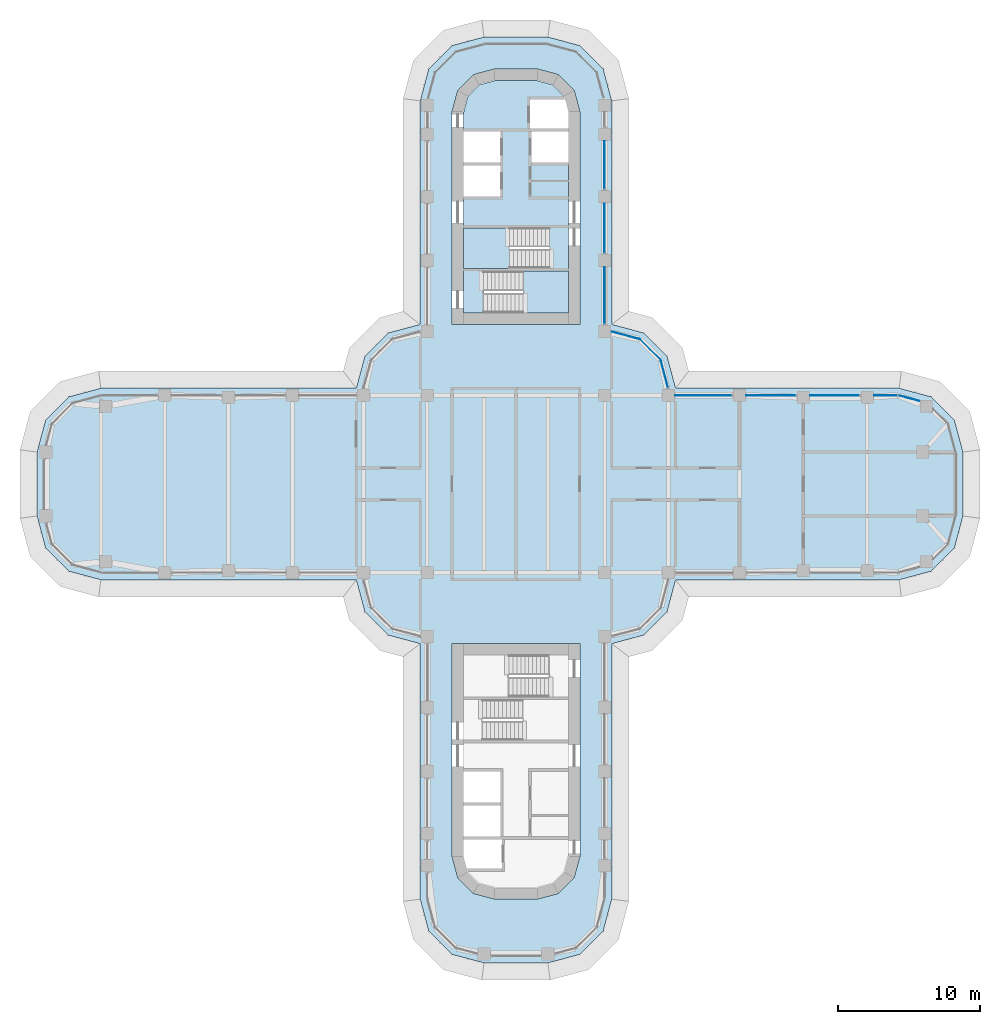
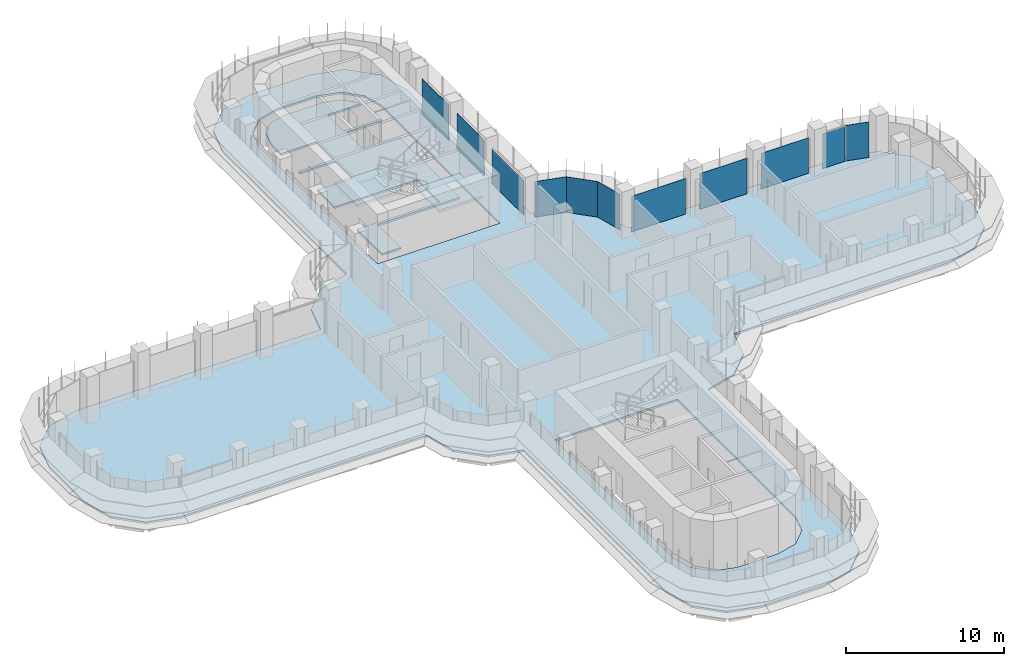
# One storey, part 14 of 21: 11 plates, 4 slabs, 8 elements without a shape of their own.
"""IFC4 building model written with IfcOpenShell, lengths in metres."""

from ifc_helpers import new_model, si_unit, direction, frame, origin, place, context, subcontext, project, spatial, polyline, outline, extrude, source, transform, mapped, material, layer, layer_set, type_object, element, aggregate, save


model = new_model("IFC4")

# Units and contexts
model_context = context("Model", 3, precision=1e-05, world=origin(), true_north=direction((0.0, 1.0)))
body_context = subcontext(model_context, "Body", "Model", "MODEL_VIEW")
ifc_project = project(units=[si_unit("LENGTHUNIT", "METRE"), si_unit("AREAUNIT", "SQUARE_METRE"), si_unit("VOLUMEUNIT", "CUBIC_METRE"), si_unit("PLANEANGLEUNIT", "RADIAN"), si_unit("MASSUNIT", "GRAM", prefix="KILO")], contexts=[model_context])

# Site, building, storey
site_placement = place(None, origin())
site = spatial("IfcSite", under=ifc_project, at=site_placement, CompositionType="ELEMENT")
building_placement = place(site_placement, origin())
building = spatial("IfcBuilding", under=site, at=building_placement, Name="Zarbagh Exchange Tower", CompositionType="ELEMENT")
storey_placement = place(building_placement, frame((0.0, 0.0, 128.39990234375)))
storey = spatial("IfcBuildingStorey", under=building, at=storey_placement, Name="L30", CompositionType="ELEMENT", Elevation=128.39990234375)

# Slabs
ifc_material_1 = material(Name="Concrete C40/50", Category="concrete")
ifc_layer_1 = layer(ifc_material_1, 0.14990234375)
ifc_layer_set_1 = layer_set([ifc_layer_1], Name="Composite floor slab 150 C40/50")
slab_type_1 = type_object("IfcSlabType", Name="Composite floor slab 150 C40/50", PredefinedType="FLOOR", material=ifc_layer_set_1)
slab_1_placement = place(storey_placement, frame((0.0, 0.0, -0.14990234375)))
element("IfcSlab", 1, at=slab_1_placement, inside=storey, type_object=slab_type_1, Name="S5 composite floor slab", PredefinedType="FLOOR", context=body_context, shape_type="SweptSolid", body=[
    extrude(outline(polyline([(-2.25, -33.75), (-4.5, -33.147216796875), (-6.147216796875, -31.5), (-6.75, -29.25), (-6.75, -11.25), (-9.0, -10.647216796875), (-10.647216796875, -9.0), (-11.25, -6.75), (-29.25, -6.75), (-31.5, -6.147216796875), (-33.147216796875, -4.5), (-33.75, -2.25), (-33.75, 2.25), (-33.147216796875, 4.5), (-31.5, 6.147216796875), (-29.25, 6.75), (-11.25, 6.75), (-10.647216796875, 9.0), (-9.0, 10.647216796875), (-6.75, 11.25), (-6.75, 27.0), (-6.147216796875, 29.25), (-4.5, 30.897216796875), (-2.25, 31.5), (2.25, 31.5), (4.5, 30.897216796875), (6.147216796875, 29.25), (6.75, 27.0), (6.75, 11.25), (9.0, 10.647216796875), (10.647216796875, 9.0), (11.25, 6.75), (27.0, 6.75), (29.25, 6.147216796875), (30.897216796875, 4.5), (31.5, 2.25), (31.5, -2.25), (30.897216796875, -4.5), (29.25, -6.147216796875), (27.0, -6.75), (11.25, -6.75), (10.647216796875, -9.0), (9.0, -10.647216796875), (6.75, -11.25), (6.75, -29.25), (6.147216796875, -31.5), (4.5, -33.147216796875), (2.25, -33.75), (-2.25, -33.75)]), holes=[polyline([(4.5, 11.25), (4.5, 26.25), (4.09814453125, 27.75), (3.0, 28.84814453125), (1.5, 29.25), (-1.5, 29.25), (-3.0, 28.84814453125), (-4.09814453125, 27.75), (-4.5, 26.25), (-4.5, 11.25), (4.5, 11.25)]), polyline([(-1.5, -29.25), (1.5, -29.25), (3.0, -28.84814453125), (4.09814453125, -27.75), (4.5, -26.25), (4.5, -11.25), (-4.5, -11.25), (-4.5, -26.25), (-4.09814453125, -27.75), (-3.0, -28.84814453125), (-1.5, -29.25)])]), origin(), (0.0, 0.0, 1.0), 0.14990234375),
])
ifc_layer_2 = layer(ifc_material_1, 0.14990234375)
ifc_layer_set_2 = layer_set([ifc_layer_2], Name="Core floor slab 150 C40/50")
slab_type_2 = type_object("IfcSlabType", Name="Core floor slab 150 C40/50", PredefinedType="FLOOR", material=ifc_layer_set_2)
slab_2_placement = place(storey_placement, frame((0.0, 0.0, -0.14990234375)))
element("IfcSlab", 2, at=slab_2_placement, inside=storey, type_object=slab_type_2, Name="S17 core N", PredefinedType="FLOOR", context=body_context, shape_type="SweptSolid", body=[
    extrude(outline(polyline([(-3.699951171875, 12.050048828125), (-3.699951171875, 15.199951171875), (2.35009765625, 15.199951171875), (2.35009765625, 18.050048828125), (-3.699951171875, 18.050048828125), (-3.699951171875, 20.25), (-1.10009765625, 20.25), (-1.10009765625, 22.449951171875), (-3.699951171875, 22.449951171875), (-3.699951171875, 22.64990234375), (-1.10009765625, 22.64990234375), (-1.10009765625, 24.85009765625), (-3.699951171875, 24.85009765625), (-3.699951171875, 26.144775390625), (-3.380859375, 27.3359375), (-2.5859375, 28.130859375), (-1.394775390625, 28.449951171875), (1.394775390625, 28.449951171875), (2.5859375, 28.130859375), (3.380859375, 27.3359375), (3.646484375, 26.3447265625), (3.444091796875, 27.10009765625), (1.0, 27.10009765625), (1.0, 25.050048828125), (3.699951171875, 25.050048828125), (3.699951171875, 24.85009765625), (1.10009765625, 24.85009765625), (1.10009765625, 22.64990234375), (3.699951171875, 22.64990234375), (3.699951171875, 15.0), (-2.300048828125, 15.0), (-2.300048828125, 12.050048828125), (-3.699951171875, 12.050048828125)])), origin(), (0.0, 0.0, 1.0), 0.14990234375),
])

# Stair, slab
stair_type = type_object("IfcStairType", Name="Exit stair two-flight half-turn", PredefinedType="HALF_TURN_STAIR", material=ifc_material_1)
stair_1_placement = place(storey_placement, origin())
stair_1 = element("IfcStair", 3, at=stair_1_placement, inside=storey, type_object=stair_type, Name="exit stair ST1", PredefinedType="HALF_TURN_STAIR")
ifc_layer_3 = layer(ifc_material_1, 0.199951171875)
ifc_layer_set_3 = layer_set([ifc_layer_3], Name="Stair landing 200 mm")
slab_type_3 = type_object("IfcSlabType", Name="Stair landing 200 mm", PredefinedType="LANDING", material=ifc_layer_set_3)
slab_3_placement = place(storey_placement, frame((0.0, 0.0, 1.7001953125)))
slab_3 = element("IfcSlab", 4, at=slab_3_placement, type_object=slab_type_3, Name="ST1 landing 1", PredefinedType="LANDING", context=body_context, shape_type="SweptSolid", body=[
    extrude(outline(polyline([(-0.449951171875, 18.050048828125), (-3.699951171875, 18.050048828125), (-3.699951171875, 15.199951171875), (-0.449951171875, 15.199951171875), (-0.449951171875, 18.050048828125)])), origin(), (0.0, 0.0, 1.0), 0.199951171875),
])
aggregate(stair_1, [slab_3])

stair_2_placement = place(storey_placement, origin())
stair_2 = element("IfcStair", 5, at=stair_2_placement, inside=storey, type_object=stair_type, Name="exit stair ST2", PredefinedType="HALF_TURN_STAIR")
slab_4_placement = place(storey_placement, frame((0.0, 0.0, 1.7001953125)))
slab_4 = element("IfcSlab", 6, at=slab_4_placement, type_object=slab_type_3, Name="ST2 landing 1", PredefinedType="LANDING", context=body_context, shape_type="SweptSolid", body=[
    extrude(outline(polyline([(0.5, 12.050048828125), (3.699951171875, 12.050048828125), (3.699951171875, 15.0), (0.5, 15.0), (0.5, 12.050048828125)])), origin(), (0.0, 0.0, 1.0), 0.199951171875),
])
aggregate(stair_2, [slab_4])

# Curtain wall, plate
ifc_material_2 = material(Name="Anodised aluminium frame and glazing", Category="aluminium")
curtain_wall_type = type_object("IfcCurtainWallType", Name="CWA Ribbon glazing, lower zones", PredefinedType="NOTDEFINED", material=ifc_material_2)
curtain_wall_1_placement = place(storey_placement, origin())
curtain_wall_1 = element("IfcCurtainWall", 7, at=curtain_wall_1_placement, inside=storey, type_object=curtain_wall_type, Name="CWA18 curtain wall", PredefinedType="NOTDEFINED")
ifc_material_3 = material(Name="Low-e double glazed unit, 6+12+6 mm")
ifc_layer_4 = layer(ifc_material_3, 0.028076171875)
ifc_layer_set_4 = layer_set([ifc_layer_4], Name="PAA Glazing panel, Low-e double glazed unit, 6+12+6 mm")
plate_type = type_object("IfcPlateType", Name="PAA Glazing panel, Low-e double glazed unit, 6+12+6 mm", PredefinedType="CURTAIN_PANEL", material=ifc_layer_set_4)
shared_shape_1 = source(origin(), body_context, "Body", "SweptSolid", [
    extrude(outline(polyline([(0.0, -0.013916015625), (2.061279296875, -0.013916015625), (2.061279296875, 0.013916015625), (0.0, 0.013916015625), (0.0, -0.013916015625)])), origin(), (0.0, 0.0, 1.0), 2.75),
])
placement = place(storey_placement, origin())
plate_1 = element("IfcPlate", 8, at=placement, type_object=plate_type, Name="CWA18 glazing panel 1.1", PredefinedType="CURTAIN_PANEL", context=body_context, shape_type="MappedRepresentation", body=[
    mapped(shared_shape_1, transform((10.19873046875, 8.7412109375, 0.0), x_axis=(-0.707106781187, 0.707106781187, 0.0), y_axis=(-0.707106781187, -0.707106781187, 0.0), z_axis=(0.0, 0.0, 1.0))),
])
aggregate(curtain_wall_1, [plate_1])

curtain_wall_2_placement = place(storey_placement, origin())
curtain_wall_2 = element("IfcCurtainWall", 9, at=curtain_wall_2_placement, inside=storey, type_object=curtain_wall_type, Name="CWA49 curtain wall", PredefinedType="NOTDEFINED")
shared_shape_2 = source(origin(), body_context, "Body", "SweptSolid", [
    extrude(outline(polyline([(0.0, -0.013916015625), (3.360107421875, -0.013916015625), (3.360107421875, 0.013916015625), (0.0, 0.013916015625), (0.0, -0.013916015625)])), origin(), (0.0, 0.0, 1.0), 2.75),
])
plate_2 = element("IfcPlate", 10, at=placement, type_object=plate_type, Name="CWA49 glazing panel 3.1", PredefinedType="CURTAIN_PANEL", context=body_context, shape_type="MappedRepresentation", body=[
    mapped(shared_shape_2, transform((6.25, 20.800048828125, 0.0), x_axis=(0.0, 1.0, 0.0), y_axis=(-1.0, 0.0, 0.0), z_axis=(0.0, 0.0, 1.0))),
])

# Curtain wall, plates
curtain_wall_3_placement = place(storey_placement, origin())
curtain_wall_3 = element("IfcCurtainWall", 11, at=curtain_wall_3_placement, inside=storey, type_object=curtain_wall_type, Name="CWA65 curtain wall", PredefinedType="NOTDEFINED")
shared_shape_3 = source(origin(), body_context, "Body", "SweptSolid", [
    extrude(outline(polyline([(0.0, -0.013916015625), (3.4599609375, -0.013916015625), (3.4599609375, 0.013916015625), (0.0, 0.013916015625), (0.0, -0.013916015625)])), origin(), (0.0, 0.0, 1.0), 2.75),
])
plate_3 = element("IfcPlate", 12, at=placement, type_object=plate_type, Name="CWA65 glazing panel 2.1", PredefinedType="CURTAIN_PANEL", context=body_context, shape_type="MappedRepresentation", body=[
    mapped(shared_shape_3, transform((24.199951171875, 6.25, 0.0), x_axis=(-1.0, 0.0, 0.0), y_axis=(0.0, -1.0, 0.0), z_axis=(0.0, 0.0, 1.0))),
])
plate_4 = element("IfcPlate", 13, at=placement, type_object=plate_type, Name="CWA65 glazing panel 3.1", PredefinedType="CURTAIN_PANEL", context=body_context, shape_type="MappedRepresentation", body=[
    mapped(shared_shape_3, transform((19.699951171875, 6.25, 0.0), x_axis=(-1.0, 0.0, 0.0), y_axis=(0.0, -1.0, 0.0), z_axis=(0.0, 0.0, 1.0))),
])

# Plate
plate_5 = element("IfcPlate", 14, at=placement, type_object=plate_type, Name="CWA49 glazing panel 2.1", PredefinedType="CURTAIN_PANEL", context=body_context, shape_type="MappedRepresentation", body=[
    mapped(shared_shape_3, transform((6.25, 16.300048828125, 0.0), x_axis=(0.0, 1.0, 0.0), y_axis=(-1.0, 0.0, 0.0), z_axis=(0.0, 0.0, 1.0))),
])

shared_shape_4 = source(origin(), body_context, "Body", "SweptSolid", [
    extrude(outline(polyline([(0.0, -0.013916015625), (3.9599609375, -0.013916015625), (3.9599609375, 0.013916015625), (0.0, 0.013916015625), (0.0, -0.013916015625)])), origin(), (0.0, 0.0, 1.0), 2.75),
])
plate_6 = element("IfcPlate", 15, at=placement, type_object=plate_type, Name="CWA65 glazing panel 4.1", PredefinedType="CURTAIN_PANEL", context=body_context, shape_type="MappedRepresentation", body=[
    mapped(shared_shape_4, transform((15.199951171875, 6.25, 0.0), x_axis=(-1.0, 0.0, 0.0), y_axis=(0.0, -1.0, 0.0), z_axis=(0.0, 0.0, 1.0))),
])

# Curtain wall, plate
curtain_wall_4_placement = place(storey_placement, origin())
curtain_wall_4 = element("IfcCurtainWall", 16, at=curtain_wall_4_placement, inside=storey, type_object=curtain_wall_type, Name="CWA17 curtain wall", PredefinedType="NOTDEFINED")
shared_shape_5 = source(origin(), body_context, "Body", "SweptSolid", [
    extrude(outline(polyline([(0.0, -0.013916015625), (2.01171875, -0.013916015625), (2.01171875, 0.013916015625), (0.0, 0.013916015625), (0.0, -0.013916015625)])), origin(), (0.0, 0.0, 1.0), 2.75),
])
plate_7 = element("IfcPlate", 17, at=placement, type_object=plate_type, Name="CWA17 glazing panel 1.1", PredefinedType="CURTAIN_PANEL", context=body_context, shape_type="MappedRepresentation", body=[
    mapped(shared_shape_5, transform((10.719482421875, 6.7978515625, 0.0), x_axis=(-0.258824779902, 0.965924289636, 0.0), y_axis=(-0.965924289636, -0.258824779902, 0.0), z_axis=(0.0, 0.0, 1.0))),
])
aggregate(curtain_wall_4, [plate_7])

curtain_wall_5_placement = place(storey_placement, origin())
curtain_wall_5 = element("IfcCurtainWall", 18, at=curtain_wall_5_placement, inside=storey, type_object=curtain_wall_type, Name="CWA19 curtain wall", PredefinedType="NOTDEFINED")
shared_shape_6 = source(origin(), body_context, "Body", "SweptSolid", [
    extrude(outline(polyline([(0.0, -0.013916015625), (2.07177734375, -0.013916015625), (2.07177734375, 0.013916015625), (0.0, 0.013916015625), (0.0, -0.013916015625)])), origin(), (0.0, 0.0, 1.0), 2.75),
])
plate_8 = element("IfcPlate", 19, at=placement, type_object=plate_type, Name="CWA19 glazing panel 1.1", PredefinedType="CURTAIN_PANEL", context=body_context, shape_type="MappedRepresentation", body=[
    mapped(shared_shape_6, transform((8.7412109375, 10.19873046875, 0.0), x_axis=(-0.965924289636, 0.258824779902, 0.0), y_axis=(-0.258824779902, -0.965924289636, 0.0), z_axis=(0.0, 0.0, 1.0))),
])
aggregate(curtain_wall_5, [plate_8])

# Plate
shared_shape_7 = source(origin(), body_context, "Body", "SweptSolid", [
    extrude(outline(polyline([(0.0, -0.013916015625), (3.9599609375, -0.013916015625), (3.9599609375, 0.013916015625), (0.0, 0.013916015625), (0.0, -0.013916015625)])), origin(), (0.0, 0.0, 1.0), 2.68994140625),
])
plate_9 = element("IfcPlate", 20, at=placement, type_object=plate_type, Name="CWA49 glazing panel 1.1", PredefinedType="CURTAIN_PANEL", context=body_context, shape_type="MappedRepresentation", body=[
    mapped(shared_shape_7, transform((6.25, 11.300048828125, 0.0), x_axis=(0.0, 1.0, 0.0), y_axis=(-1.0, 0.0, 0.0), z_axis=(0.0, 0.0, 1.0))),
])

aggregate(curtain_wall_2, [plate_9, plate_5, plate_2])

# Curtain wall, plate
curtain_wall_6_placement = place(storey_placement, origin())
curtain_wall_6 = element("IfcCurtainWall", 21, at=curtain_wall_6_placement, inside=storey, type_object=curtain_wall_type, Name="CWA64 curtain wall", PredefinedType="NOTDEFINED")
shared_shape_8 = source(origin(), body_context, "Body", "SweptSolid", [
    extrude(outline(polyline([(0.0, -0.013916015625), (1.5361328125, -0.013916015625), (1.5361328125, 0.013916015625), (0.0, 0.013916015625), (0.0, -0.013916015625)])), origin(), (0.0, 0.0, 1.0), 2.75),
])
plate_10 = element("IfcPlate", 22, at=placement, type_object=plate_type, Name="CWA64 glazing panel 1.1", PredefinedType="CURTAIN_PANEL", context=body_context, shape_type="MappedRepresentation", body=[
    mapped(shared_shape_8, transform((28.41796875, 5.852294921875, 0.0), x_axis=(-0.965924289636, 0.258824779902, 0.0), y_axis=(-0.258824779902, -0.965924289636, 0.0), z_axis=(0.0, 0.0, 1.0))),
])
aggregate(curtain_wall_6, [plate_10])

# Plate
shared_shape_9 = source(origin(), body_context, "Body", "SweptSolid", [
    extrude(outline(polyline([(0.0, -0.013916015625), (1.63427734375, -0.013916015625), (1.63427734375, 0.013916015625), (0.0, 0.013916015625), (0.0, -0.013916015625)])), origin(), (0.0, 0.0, 1.0), 2.68994140625),
])
plate_11 = element("IfcPlate", 23, at=placement, type_object=plate_type, Name="CWA65 glazing panel 1.1", PredefinedType="CURTAIN_PANEL", context=body_context, shape_type="MappedRepresentation", body=[
    mapped(shared_shape_9, transform((26.874267578125, 6.25, 0.0), x_axis=(-1.0, 0.0, 0.0), y_axis=(0.0, -1.0, 0.0), z_axis=(0.0, 0.0, 1.0))),
])

aggregate(curtain_wall_3, [plate_11, plate_3, plate_4, plate_6])

save(model, "model.ifc")
